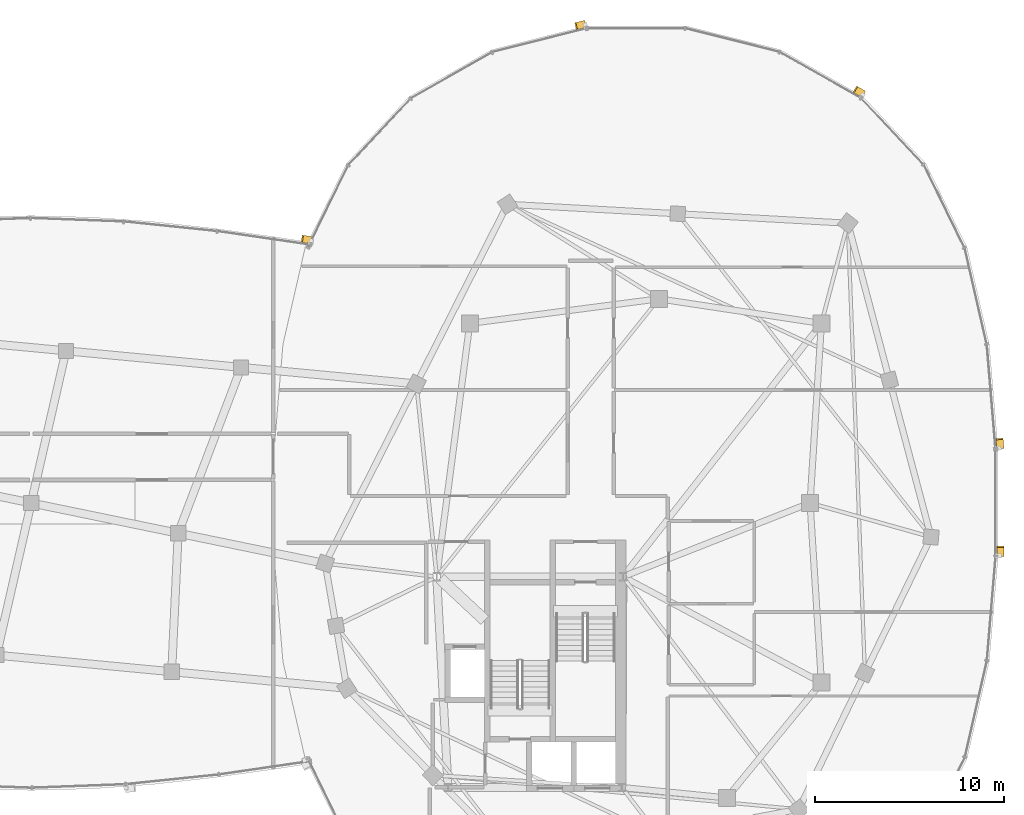
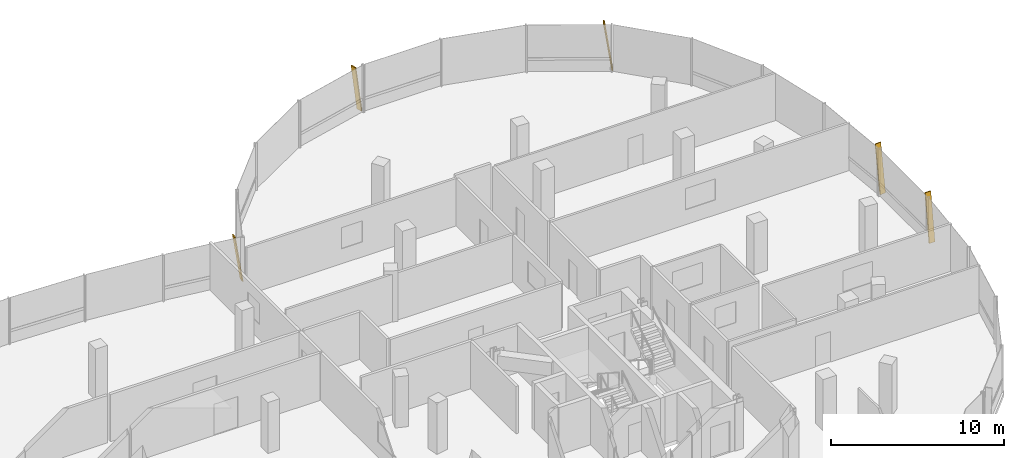
# One storey, part 26 of 26: 5 shading devices.
"""IFC4 building model written with IfcOpenShell, lengths in metres."""

from ifc_helpers import new_model, si_unit, direction, frame, origin, origin_2d, place, context, subcontext, project, spatial, rectangle, extrude, material, material_profile, profile_set, type_object, element, save


model = new_model("IFC4")

# Units and contexts
model_context = context("Model", 3, precision=1e-05, world=origin(), true_north=direction((0.0, 1.0)))
body_context = subcontext(model_context, "Body", "Model", "MODEL_VIEW")
ifc_project = project(units=[si_unit("LENGTHUNIT", "METRE"), si_unit("AREAUNIT", "SQUARE_METRE"), si_unit("VOLUMEUNIT", "CUBIC_METRE"), si_unit("PLANEANGLEUNIT", "RADIAN"), si_unit("MASSUNIT", "GRAM", prefix="KILO"), si_unit("THERMODYNAMICTEMPERATUREUNIT", "KELVIN"), si_unit("POWERUNIT", "WATT")], contexts=[model_context])

# Site, building, storey
site_placement = place(None, origin())
site = spatial("IfcSite", under=ifc_project, at=site_placement, CompositionType="ELEMENT")
building_placement = place(site_placement, origin())
building = spatial("IfcBuilding", under=site, at=building_placement, Name="Cundina Bronze Exchange", CompositionType="ELEMENT")
storey_placement = place(building_placement, frame((0.0, 0.0, 243.199951171875)))
storey = spatial("IfcBuildingStorey", under=building, at=storey_placement, Name="L64", CompositionType="ELEMENT", Elevation=243.199951171875)

# Shading devices
ifc_material = material(Name="Anodised Bronze Aluminium 6063-T6", Category="aluminium")
ifc_material_profile = material_profile(ifc_material, rectangle(XDim=0.070068359375, YDim=0.3798828125, at=origin_2d()), Name="FIN70X380", Category="aluminium")
ifc_profile_set = profile_set([ifc_material_profile], Name="Anodised Bronze Aluminium 6063-T6")
shading_device_type = type_object("IfcShadingDeviceType", Name="SHD-FIN-BRZ380", PredefinedType="USERDEFINED", material=ifc_profile_set)
for number, where, z_axis, x_axis, name in (
    (1, (51.26416015625, 2.90625, 0.02001953125), (-0.012006555776, 0.143419772964, 0.98958911238), (0.082555834947, -0.986139516224, 0.143921466983), "L64 Diagonal Bronze Solar Fin 1"),
    (2, (44.0126953125, 21.63720703125, 0.02001953125), (-0.125189514072, 0.071087145125, 0.989582843103), (0.860526986551, -0.488638423358, 0.143964567292), "L64 Diagonal Bronze Solar Fin 5"),
    (3, (29.290771484375, 25.343505859375, 0.02001953125), (-0.139611891367, -0.03514090606, 0.989582556693), (0.959650042543, 0.24154799183, 0.143966536007), "L64 Diagonal Bronze Solar Fin 1"),
    (4, (51.26904296875, -2.79150390625, 0.02001953125), (0.0, 0.143932024572, 0.989587576874), (0.0, -0.989587576874, 0.143932024572), "L64 Diagonal Bronze Solar Fin 5"),
):
    element("IfcShadingDevice", number, at=place(storey_placement, frame(where, z_axis=z_axis, x_axis=x_axis)), inside=storey, type_object=shading_device_type, Name=name, ObjectType="FIN", PredefinedType="USERDEFINED", context=body_context, shape_type="SweptSolid", body=[
        extrude(rectangle(XDim=0.070068359375, YDim=0.3798828125, at=origin_2d()), origin(), (0.0, 0.0, 1.0), 3.334716796875),
    ])
shading_device_placement = place(storey_placement, frame((14.8154296875, 13.90625, 0.02001953125), z_axis=(-0.145051508968, 0.021168873868, 0.989197623595), x_axis=(0.978828704224, -0.142850643371, 0.1465880673)))
element("IfcShadingDevice", 5, at=shading_device_placement, inside=storey, type_object=shading_device_type, Name="L64 Diagonal Bronze Solar Fin 1", ObjectType="FIN", PredefinedType="USERDEFINED", context=body_context, shape_type="SweptSolid", body=[
    extrude(rectangle(XDim=0.070068359375, YDim=0.3798828125, at=origin_2d()), origin(), (0.0, 0.0, 1.0), 3.275390625),
])

save(model, "model.ifc")
